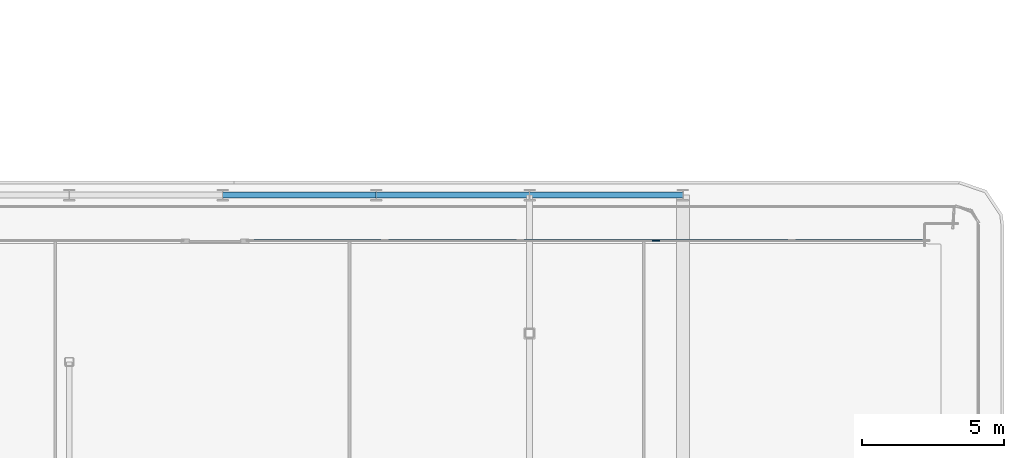
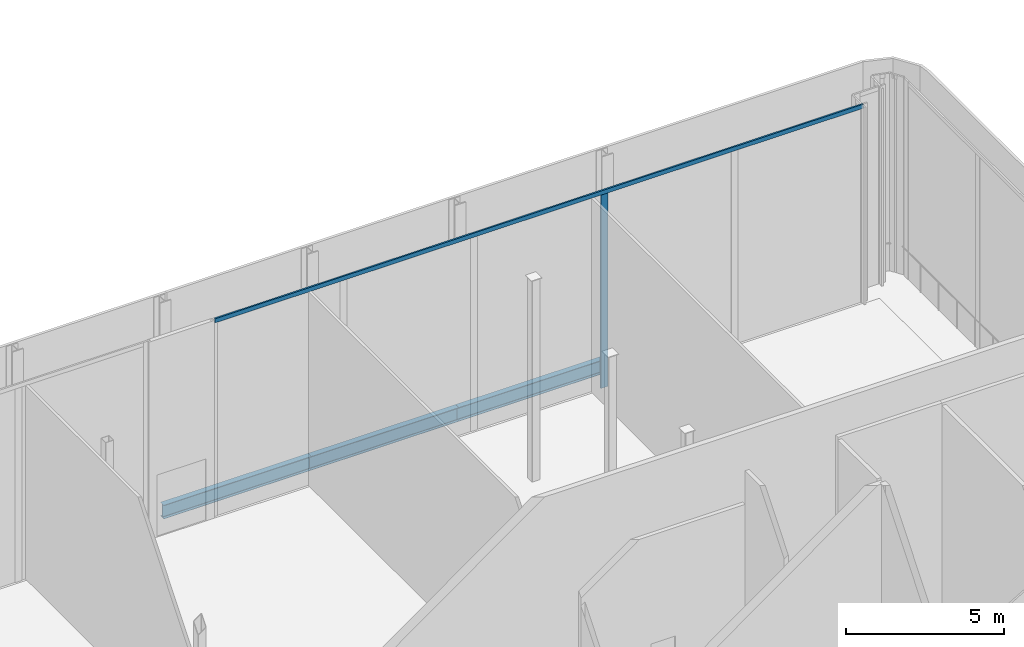
# One storey, part 11 of 38: 3 beams, 2 members, 1 element without a shape of its own.
"""IFC4 building model written with IfcOpenShell, lengths in metres."""

import ifcopenshell
import ifcopenshell.guid

model = None  # the IFC model being written
_history = None  # IfcOwnerHistory: only IFC2X3 demands one
_inside = {}  # id of a spatial element -> (the spatial element, [elements in it])
_under = {}  # id of a project, library or spatial element -> (it, [spatial elements below it])
_declared = {}  # id of a project -> (the project, [libraries it declares])
_typed = {}  # id of a type object -> (the type object, [elements of that type])
_made_of = {}  # id of a material, layer set ... -> (it, [elements and type objects made of it])


def new_model(schema):
    """Start an empty IFC model of exactly this schema.

    Asked for "IFC4X3", IfcOpenShell would pick the latest addendum, in which some entities
    have other attributes; the version numbers below select the first issue.
    IFC2X3 requires an IfcOwnerHistory on every rooted entity: one is made here for all.
    """
    global model, _history
    if schema == "IFC4X3":
        model = ifcopenshell.file(schema_version=(4, 3, 0, 0))
    else:
        model = ifcopenshell.file(schema=schema)
    _inside.clear()
    _under.clear()
    _declared.clear()
    _typed.clear()
    _made_of.clear()
    _history = None
    if model.schema == "IFC2X3":
        org = make("IfcOrganization", Name="unknown")
        user = make(
            "IfcPersonAndOrganization",
            ThePerson=make("IfcPerson", FamilyName="unknown"),
            TheOrganization=org,
        )
        app = make(
            "IfcApplication",
            ApplicationDeveloper=org,
            Version="unknown",
            ApplicationFullName="unknown",
            ApplicationIdentifier="unknown",
        )
        _history = make(
            "IfcOwnerHistory",
            OwningUser=user,
            OwningApplication=app,
            ChangeAction="ADDED",
            CreationDate=0,
        )
    return model


def make(cls, **values):
    """One entity of the class cls with the attributes given. An attribute that is None is left unset."""
    return model.create_entity(
        cls, **{name: value for name, value in values.items() if value is not None}
    )


def rooted(cls, **values):
    """An entity with a GlobalId (a new one), such as an element, a storey or a relation."""
    return make(cls, GlobalId=ifcopenshell.guid.new(), OwnerHistory=_history, **values)


def si_unit(unit_type, name, prefix=None):
    """IfcSIUnit, for example si_unit("LENGTHUNIT", "METRE", prefix="MILLI")."""
    return make("IfcSIUnit", UnitType=unit_type, Prefix=prefix, Name=name)


def assignment(units):
    """IfcUnitAssignment: the units of a project."""
    return None if units is None else make("IfcUnitAssignment", Units=units)


def point(xyz):
    """IfcCartesianPoint."""
    return None if xyz is None else make("IfcCartesianPoint", Coordinates=xyz)


def direction(xyz):
    """IfcDirection."""
    return None if xyz is None else make("IfcDirection", DirectionRatios=xyz)


def frame(location, z_axis=None, x_axis=None):
    """IfcAxis2Placement3D, a coordinate frame: its origin and axes. An axis left out is left unset."""
    return make(
        "IfcAxis2Placement3D",
        Location=point(location),
        Axis=direction(z_axis),
        RefDirection=direction(x_axis),
    )


def frame_2d(location, x_axis=None):
    """IfcAxis2Placement2D, a coordinate frame in the plane: its origin and x axis."""
    return make(
        "IfcAxis2Placement2D", Location=point(location), RefDirection=direction(x_axis)
    )


def origin():
    """The frame at (0, 0, 0) with its axes left unset."""
    return frame((0.0, 0.0, 0.0))


def origin_2d():
    """The frame at (0, 0) in the plane with its x axis left unset."""
    return frame_2d((0.0, 0.0))


def place(relative_to, where):
    """IfcLocalPlacement: puts the frame where relative to a parent placement (None: the world)."""
    return make(
        "IfcLocalPlacement", PlacementRelTo=relative_to, RelativePlacement=where
    )


def context(
    kind, dimensions, precision=None, world=None, true_north=None, identifier=None
):
    """IfcGeometricRepresentationContext, for example the 3D "Model" context."""
    return make(
        "IfcGeometricRepresentationContext",
        ContextIdentifier=identifier,
        ContextType=kind,
        CoordinateSpaceDimension=dimensions,
        Precision=precision,
        WorldCoordinateSystem=world,
        TrueNorth=true_north,
    )


def subcontext(parent, identifier, kind, view, scale=None):
    """IfcGeometricRepresentationSubContext, for example "Body" below "Model"."""
    return make(
        "IfcGeometricRepresentationSubContext",
        ContextIdentifier=identifier,
        ContextType=kind,
        ParentContext=parent,
        TargetScale=scale,
        TargetView=view,
    )


def project(units=None, contexts=None):
    """IfcProject with its units and contexts."""
    return rooted(
        "IfcProject",
        Name="project",
        RepresentationContexts=contexts,
        UnitsInContext=assignment(units),
    )


def spatial(cls, under=None, at=None, **own):
    """A site, building, storey or space (cls), placed at a placement, below another one or the project."""
    s = rooted(cls, ObjectPlacement=at, **own)
    if under is not None:
        _under.setdefault(under.id(), (under, []))[1].append(s)
    return s


def profile(cls, at=None, kind="AREA", **sizes):
    """A parametric profile (cls). Its sizes go by their IFC names, for example OverallWidth=200.0."""
    return make(cls, ProfileType=kind, Position=at, **sizes)


def rectangle(**sizes):
    """IfcRectangleProfileDef."""
    return profile("IfcRectangleProfileDef", **sizes)


def i_section(**sizes):
    """IfcIShapeProfileDef."""
    return profile("IfcIShapeProfileDef", **sizes)


def extrude(swept, where, along, depth):
    """IfcExtrudedAreaSolid: the profile swept, set in the frame where, extruded along a direction by depth."""
    return make(
        "IfcExtrudedAreaSolid",
        SweptArea=swept,
        Position=where,
        ExtrudedDirection=direction(along),
        Depth=depth,
    )


def shape(context_of_items, identifier, shape_type, items):
    """IfcShapeRepresentation: the items that make up one representation, for example the "Body"."""
    return make(
        "IfcShapeRepresentation",
        ContextOfItems=context_of_items,
        RepresentationIdentifier=identifier,
        RepresentationType=shape_type,
        Items=items,
    )


def material(Name=None, Category=None):
    """IfcMaterial."""
    return make("IfcMaterial", Name=Name, Category=Category)


def layer(
    of_material, thickness, ventilated=None, Name=None, Category=None, Priority=None
):
    """IfcMaterialLayer: one layer of a wall or slab, of a material (None: an air gap)."""
    return make(
        "IfcMaterialLayer",
        Material=of_material,
        LayerThickness=thickness,
        IsVentilated=ventilated,
        Name=Name,
        Category=Category,
        Priority=Priority,
    )


def layer_set(layers, Name=None):
    """IfcMaterialLayerSet."""
    return make("IfcMaterialLayerSet", MaterialLayers=layers, LayerSetName=Name)


def material_profile(
    of_material, cross_section, Name=None, Category=None, Priority=None
):
    """IfcMaterialProfile: a cross section and its material."""
    return make(
        "IfcMaterialProfile",
        Name=Name,
        Material=of_material,
        Profile=cross_section,
        Priority=Priority,
        Category=Category,
    )


def profile_set(profiles, Name=None, composite=None):
    """IfcMaterialProfileSet."""
    return make(
        "IfcMaterialProfileSet",
        Name=Name,
        MaterialProfiles=profiles,
        CompositeProfile=composite,
    )


def made_of(thing, what):
    """Note that an element or type object is made of a material, layer set ...; save() writes the relation."""
    if what is not None:
        _made_of.setdefault(what.id(), (what, []))[1].append(thing)
    return thing


def type_object(cls, material=None, **own):
    """A type object (cls), such as IfcWallType, which elements share."""
    return made_of(rooted(cls, **own), material)


def element(
    cls,
    number,
    at=None,
    inside=None,
    cuts=None,
    type_object=None,
    material=None,
    context=None,
    identifier="Body",
    shape_type=None,
    held_by="IfcProductDefinitionShape",
    body=None,
    shapes=None,
    **own,
):
    """One element of the class cls, such as IfcWall. Its Tag is "e" and its number.

    at: its placement. inside: the storey or other place that contains it. cuts: it is an
    opening in that element (IfcRelVoidsElement). A single representation is given by context,
    identifier, shape_type and body (its items); several are given by shapes. held_by: the class
    of the entity that holds the representations. save() writes the other relations.
    """
    e = rooted(cls, Tag="e%d" % number, ObjectPlacement=at, **own)
    if body is not None:
        shapes = [shape(context, identifier, shape_type, body)]
    if shapes is not None:
        e.Representation = make(held_by, Representations=shapes)
    if inside is not None:
        _inside.setdefault(inside.id(), (inside, []))[1].append(e)
    if cuts is not None:
        rooted(
            "IfcRelVoidsElement", RelatingBuildingElement=cuts, RelatedOpeningElement=e
        )
    if type_object is not None:
        _typed.setdefault(type_object.id(), (type_object, []))[1].append(e)
    return made_of(e, material)


def aggregate(whole, parts):
    """IfcRelAggregates: a whole, such as a stair, and the parts it consists of."""
    return rooted("IfcRelAggregates", RelatingObject=whole, RelatedObjects=parts)


def save(model, path):
    """Write the relations noted so far, then the file.

    IfcRelAggregates (storeys below a building ...), IfcRelContainedInSpatialStructure (elements
    in a storey), IfcRelDefinesByType, IfcRelAssociatesMaterial and IfcRelDeclares: one each for
    every whole, place, type object, material and project.
    """
    for whole, parts in _under.values():
        aggregate(whole, parts)
    for where, things in _inside.values():
        rooted(
            "IfcRelContainedInSpatialStructure",
            RelatedElements=things,
            RelatingStructure=where,
        )
    for kind, things in _typed.values():
        rooted("IfcRelDefinesByType", RelatedObjects=things, RelatingType=kind)
    for what, things in _made_of.values():
        rooted("IfcRelAssociatesMaterial", RelatedObjects=things, RelatingMaterial=what)
    for by, libraries in _declared.values():
        rooted("IfcRelDeclares", RelatingContext=by, RelatedDefinitions=libraries)
    model.write(path)


model = new_model("IFC4")

# Units and contexts
model_context = context("Model", 3, precision=1e-05, world=origin(), true_north=direction((0.0, 1.0)))
body_context = subcontext(model_context, "Body", "Model", "MODEL_VIEW")
ifc_project = project(units=[si_unit("LENGTHUNIT", "METRE"), si_unit("AREAUNIT", "SQUARE_METRE"), si_unit("VOLUMEUNIT", "CUBIC_METRE"), si_unit("PLANEANGLEUNIT", "RADIAN"), si_unit("MASSUNIT", "GRAM", prefix="KILO")], contexts=[model_context])

# Site, building, storey
site_placement = place(None, origin())
site = spatial("IfcSite", under=ifc_project, at=site_placement, CompositionType="ELEMENT")
building_placement = place(site_placement, origin())
building = spatial("IfcBuilding", under=site, at=building_placement, Name="Kheshtan School and Residences Tower", CompositionType="ELEMENT")
storey_placement = place(building_placement, frame((0.0, 0.0, 203.300048828125)))
storey = spatial("IfcBuildingStorey", under=building, at=storey_placement, Name="L48", CompositionType="ELEMENT", Elevation=203.300048828125)

# Beams
ifc_material_1 = material(Name="Steel ASTM A992 Grade 50", Category="steel")
ifc_material_profile_1 = material_profile(ifc_material_1, i_section(OverallWidth=0.208984375, OverallDepth=0.532958984375, WebThickness=0.01025390625, FlangeThickness=0.015625, FilletRadius=0.013916015625, at=origin_2d()), Name="W530x92")
ifc_profile_set_1 = profile_set([ifc_material_profile_1], Name="Steel ASTM A992 Grade 50")
beam_type = type_object("IfcBeamType", Name="Beam SP3 W530x92 ASTM A992 Grade 50", PredefinedType="BEAM", material=ifc_profile_set_1)
for number, where, z_axis, x_axis, name in (
    (1, (74.60009765625, 45.60009765625, -0.41650390625), (1.0, 0.0, 0.0), (0.0, 1.0, 0.0), "Spandrel beam C065-C066"),
    (2, (80.0, 45.60009765625, -0.41650390625), (1.0, 0.0, 0.0), (0.0, 1.0, 0.0), "Spandrel beam C066-C067"),
):
    element("IfcBeam", number, at=place(storey_placement, frame(where, z_axis=z_axis, x_axis=x_axis)), inside=storey, type_object=beam_type, Name=name, PredefinedType="BEAM", context=body_context, shape_type="SweptSolid", body=[
        extrude(i_section(OverallWidth=0.208984375, OverallDepth=0.532958984375, WebThickness=0.01025390625, FlangeThickness=0.015625, FilletRadius=0.013916015625, at=origin_2d()), origin(), (0.0, 0.0, 1.0), 5.39990234375),
    ])
beam_placement = place(storey_placement, frame((85.39990234375, 45.60009765625, -0.41650390625), z_axis=(1.0, 0.0, 0.0), x_axis=(0.0, 1.0, 0.0)))
element("IfcBeam", 3, at=beam_placement, inside=storey, type_object=beam_type, Name="Spandrel beam C067-C068", PredefinedType="BEAM", context=body_context, shape_type="SweptSolid", body=[
    extrude(i_section(OverallWidth=0.208984375, OverallDepth=0.532958984375, WebThickness=0.01025390625, FlangeThickness=0.015625, FilletRadius=0.013916015625, at=origin_2d()), origin(), (0.0, 0.0, 1.0), 5.400146484375),
])

# Curtain wall, members
ifc_material_2 = material(Name="Clear low-e glass in thermally broken aluminium frame", Category="aluminium")
ifc_layer = layer(ifc_material_2, 0.25)
ifc_layer_set = layer_set([ifc_layer], Name="Curtain wall CW-G")
curtain_wall_type = type_object("IfcCurtainWallType", Name="Curtain wall CW-G", PredefinedType="NOTDEFINED", material=ifc_layer_set)
curtain_wall_placement = place(storey_placement, origin())
curtain_wall = element("IfcCurtainWall", 4, at=curtain_wall_placement, inside=storey, type_object=curtain_wall_type, Name="Curtain wall CWG5a", PredefinedType="NOTDEFINED")
ifc_material_3 = material(Name="Thermally broken aluminium, dark bronze anodised", Category="aluminium")
ifc_material_profile_2 = material_profile(ifc_material_3, rectangle(XDim=0.06005859375, YDim=0.25, at=origin_2d()), Name="CW-G mullion 60x250")
ifc_profile_set_2 = profile_set([ifc_material_profile_2], Name="Thermally broken aluminium, dark bronze anodised")
member_type_1 = type_object("IfcMemberType", Name="CW-G mullion 60x250", PredefinedType="MULLION", material=ifc_profile_set_2)
member_1_placement = place(storey_placement, frame((89.85205078125, 44.0, 0.0), z_axis=(0.0, 0.0, 1.0), x_axis=(0.0, 1.0, 0.0)))
member_1 = element("IfcMember", 5, at=member_1_placement, type_object=member_type_1, Name="CWG5a mullion 4", PredefinedType="MULLION", context=body_context, shape_type="SweptSolid", body=[
    extrude(rectangle(XDim=0.06005859375, YDim=0.25, at=origin_2d()), origin(), (0.0, 0.0, 1.0), 7.489990234375),
])
ifc_material_profile_3 = material_profile(ifc_material_3, rectangle(XDim=0.06005859375, YDim=0.159912109375, at=origin_2d()), Name="CW-G transom 60x160")
ifc_profile_set_3 = profile_set([ifc_material_profile_3], Name="Thermally broken aluminium, dark bronze anodised")
member_type_2 = type_object("IfcMemberType", Name="CW-G transom 60x160", PredefinedType="USERDEFINED", material=ifc_profile_set_3)
member_2_placement = place(storey_placement, frame((75.590087890625, 44.0, 7.570068359375), z_axis=(1.0, 0.0, 0.0), x_axis=(0.0, 1.0, 0.0)))
member_2 = element("IfcMember", 6, at=member_2_placement, type_object=member_type_2, Name="CWG5a transom 1", ObjectType="TRANSOM", PredefinedType="USERDEFINED", context=body_context, shape_type="SweptSolid", body=[
    extrude(rectangle(XDim=0.06005859375, YDim=0.159912109375, at=origin_2d()), origin(), (0.0, 0.0, 1.0), 23.75),
])
aggregate(curtain_wall, [member_1, member_2])

save(model, "model.ifc")
